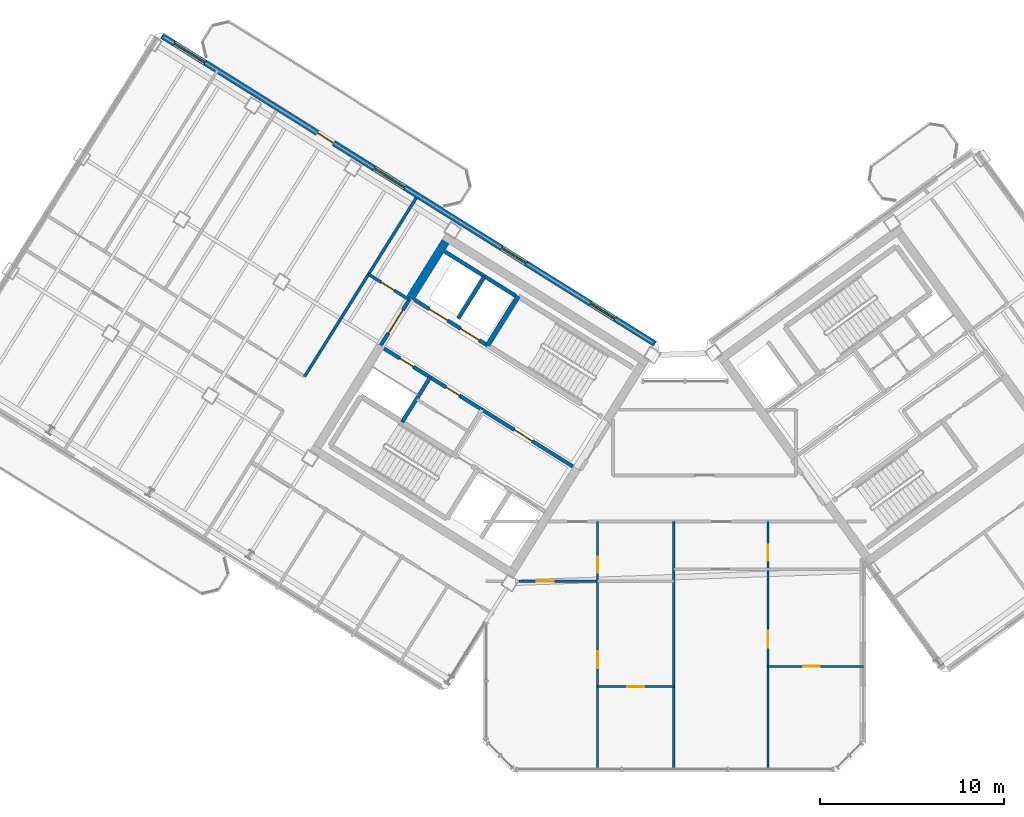
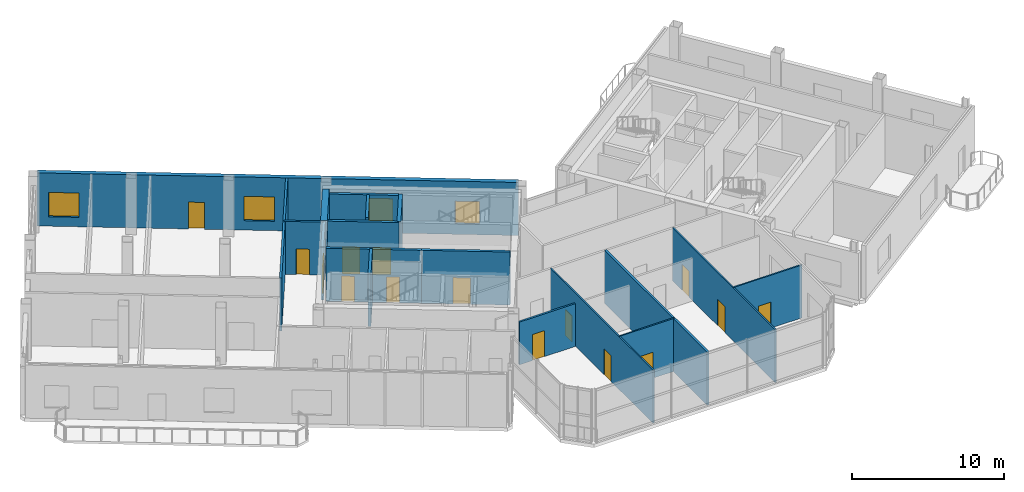
# One storey, part 17 of 27: 18 walls, 15 doors, 4 windows, 19 openings.
"""IFC4 building model written with IfcOpenShell, lengths in metres."""

import ifcopenshell
import ifcopenshell.guid

model = None  # the IFC model being written
_history = None  # IfcOwnerHistory: only IFC2X3 demands one
_inside = {}  # id of a spatial element -> (the spatial element, [elements in it])
_under = {}  # id of a project, library or spatial element -> (it, [spatial elements below it])
_declared = {}  # id of a project -> (the project, [libraries it declares])
_typed = {}  # id of a type object -> (the type object, [elements of that type])
_made_of = {}  # id of a material, layer set ... -> (it, [elements and type objects made of it])


def new_model(schema):
    """Start an empty IFC model of exactly this schema.

    Asked for "IFC4X3", IfcOpenShell would pick the latest addendum, in which some entities
    have other attributes; the version numbers below select the first issue.
    IFC2X3 requires an IfcOwnerHistory on every rooted entity: one is made here for all.
    """
    global model, _history
    if schema == "IFC4X3":
        model = ifcopenshell.file(schema_version=(4, 3, 0, 0))
    else:
        model = ifcopenshell.file(schema=schema)
    _inside.clear()
    _under.clear()
    _declared.clear()
    _typed.clear()
    _made_of.clear()
    _history = None
    if model.schema == "IFC2X3":
        org = make("IfcOrganization", Name="unknown")
        user = make(
            "IfcPersonAndOrganization",
            ThePerson=make("IfcPerson", FamilyName="unknown"),
            TheOrganization=org,
        )
        app = make(
            "IfcApplication",
            ApplicationDeveloper=org,
            Version="unknown",
            ApplicationFullName="unknown",
            ApplicationIdentifier="unknown",
        )
        _history = make(
            "IfcOwnerHistory",
            OwningUser=user,
            OwningApplication=app,
            ChangeAction="ADDED",
            CreationDate=0,
        )
    return model


def make(cls, **values):
    """One entity of the class cls with the attributes given. An attribute that is None is left unset."""
    return model.create_entity(
        cls, **{name: value for name, value in values.items() if value is not None}
    )


def rooted(cls, **values):
    """An entity with a GlobalId (a new one), such as an element, a storey or a relation."""
    return make(cls, GlobalId=ifcopenshell.guid.new(), OwnerHistory=_history, **values)


def si_unit(unit_type, name, prefix=None):
    """IfcSIUnit, for example si_unit("LENGTHUNIT", "METRE", prefix="MILLI")."""
    return make("IfcSIUnit", UnitType=unit_type, Prefix=prefix, Name=name)


def assignment(units):
    """IfcUnitAssignment: the units of a project."""
    return None if units is None else make("IfcUnitAssignment", Units=units)


def point(xyz):
    """IfcCartesianPoint."""
    return None if xyz is None else make("IfcCartesianPoint", Coordinates=xyz)


def direction(xyz):
    """IfcDirection."""
    return None if xyz is None else make("IfcDirection", DirectionRatios=xyz)


def frame(location, z_axis=None, x_axis=None):
    """IfcAxis2Placement3D, a coordinate frame: its origin and axes. An axis left out is left unset."""
    return make(
        "IfcAxis2Placement3D",
        Location=point(location),
        Axis=direction(z_axis),
        RefDirection=direction(x_axis),
    )


def frame_2d(location, x_axis=None):
    """IfcAxis2Placement2D, a coordinate frame in the plane: its origin and x axis."""
    return make(
        "IfcAxis2Placement2D", Location=point(location), RefDirection=direction(x_axis)
    )


def origin():
    """The frame at (0, 0, 0) with its axes left unset."""
    return frame((0.0, 0.0, 0.0))


def place(relative_to, where):
    """IfcLocalPlacement: puts the frame where relative to a parent placement (None: the world)."""
    return make(
        "IfcLocalPlacement", PlacementRelTo=relative_to, RelativePlacement=where
    )


def context(
    kind, dimensions, precision=None, world=None, true_north=None, identifier=None
):
    """IfcGeometricRepresentationContext, for example the 3D "Model" context."""
    return make(
        "IfcGeometricRepresentationContext",
        ContextIdentifier=identifier,
        ContextType=kind,
        CoordinateSpaceDimension=dimensions,
        Precision=precision,
        WorldCoordinateSystem=world,
        TrueNorth=true_north,
    )


def subcontext(parent, identifier, kind, view, scale=None):
    """IfcGeometricRepresentationSubContext, for example "Body" below "Model"."""
    return make(
        "IfcGeometricRepresentationSubContext",
        ContextIdentifier=identifier,
        ContextType=kind,
        ParentContext=parent,
        TargetScale=scale,
        TargetView=view,
    )


def project(units=None, contexts=None):
    """IfcProject with its units and contexts."""
    return rooted(
        "IfcProject",
        Name="project",
        RepresentationContexts=contexts,
        UnitsInContext=assignment(units),
    )


def spatial(cls, under=None, at=None, **own):
    """A site, building, storey or space (cls), placed at a placement, below another one or the project."""
    s = rooted(cls, ObjectPlacement=at, **own)
    if under is not None:
        _under.setdefault(under.id(), (under, []))[1].append(s)
    return s


def profile(cls, at=None, kind="AREA", **sizes):
    """A parametric profile (cls). Its sizes go by their IFC names, for example OverallWidth=200.0."""
    return make(cls, ProfileType=kind, Position=at, **sizes)


def rectangle(**sizes):
    """IfcRectangleProfileDef."""
    return profile("IfcRectangleProfileDef", **sizes)


def extrude(swept, where, along, depth):
    """IfcExtrudedAreaSolid: the profile swept, set in the frame where, extruded along a direction by depth."""
    return make(
        "IfcExtrudedAreaSolid",
        SweptArea=swept,
        Position=where,
        ExtrudedDirection=direction(along),
        Depth=depth,
    )


def shape(context_of_items, identifier, shape_type, items):
    """IfcShapeRepresentation: the items that make up one representation, for example the "Body"."""
    return make(
        "IfcShapeRepresentation",
        ContextOfItems=context_of_items,
        RepresentationIdentifier=identifier,
        RepresentationType=shape_type,
        Items=items,
    )


def source(mapping_origin, context_of_items, identifier, shape_type, items):
    """IfcRepresentationMap: a shape defined once, which mapped items show again and again."""
    return make(
        "IfcRepresentationMap",
        MappingOrigin=mapping_origin,
        MappedRepresentation=shape(context_of_items, identifier, shape_type, items),
    )


def transform(
    local_origin,
    x_axis=None,
    y_axis=None,
    z_axis=None,
    scale=None,
    scale2=None,
    scale3=None,
    uniform=True,
):
    """IfcCartesianTransformationOperator3D, or its non-uniform kind. x_axis, y_axis, z_axis: its Axis1, 2, 3."""
    if uniform:
        return make(
            "IfcCartesianTransformationOperator3D",
            Axis1=direction(x_axis),
            Axis2=direction(y_axis),
            LocalOrigin=point(local_origin),
            Scale=scale,
            Axis3=direction(z_axis),
        )
    return make(
        "IfcCartesianTransformationOperator3DnonUniform",
        Axis1=direction(x_axis),
        Axis2=direction(y_axis),
        LocalOrigin=point(local_origin),
        Scale=scale,
        Axis3=direction(z_axis),
        Scale2=scale2,
        Scale3=scale3,
    )


def mapped(mapping_source, mapping_target):
    """IfcMappedItem: shows the shape of a source again, moved by a transform."""
    return make(
        "IfcMappedItem", MappingSource=mapping_source, MappingTarget=mapping_target
    )


def material(Name=None, Category=None):
    """IfcMaterial."""
    return make("IfcMaterial", Name=Name, Category=Category)


def layer(
    of_material, thickness, ventilated=None, Name=None, Category=None, Priority=None
):
    """IfcMaterialLayer: one layer of a wall or slab, of a material (None: an air gap)."""
    return make(
        "IfcMaterialLayer",
        Material=of_material,
        LayerThickness=thickness,
        IsVentilated=ventilated,
        Name=Name,
        Category=Category,
        Priority=Priority,
    )


def layer_set(layers, Name=None):
    """IfcMaterialLayerSet."""
    return make("IfcMaterialLayerSet", MaterialLayers=layers, LayerSetName=Name)


def made_of(thing, what):
    """Note that an element or type object is made of a material, layer set ...; save() writes the relation."""
    if what is not None:
        _made_of.setdefault(what.id(), (what, []))[1].append(thing)
    return thing


def type_object(cls, material=None, **own):
    """A type object (cls), such as IfcWallType, which elements share."""
    return made_of(rooted(cls, **own), material)


def element(
    cls,
    number,
    at=None,
    inside=None,
    cuts=None,
    type_object=None,
    material=None,
    context=None,
    identifier="Body",
    shape_type=None,
    held_by="IfcProductDefinitionShape",
    body=None,
    shapes=None,
    **own,
):
    """One element of the class cls, such as IfcWall. Its Tag is "e" and its number.

    at: its placement. inside: the storey or other place that contains it. cuts: it is an
    opening in that element (IfcRelVoidsElement). A single representation is given by context,
    identifier, shape_type and body (its items); several are given by shapes. held_by: the class
    of the entity that holds the representations. save() writes the other relations.
    """
    e = rooted(cls, Tag="e%d" % number, ObjectPlacement=at, **own)
    if body is not None:
        shapes = [shape(context, identifier, shape_type, body)]
    if shapes is not None:
        e.Representation = make(held_by, Representations=shapes)
    if inside is not None:
        _inside.setdefault(inside.id(), (inside, []))[1].append(e)
    if cuts is not None:
        rooted(
            "IfcRelVoidsElement", RelatingBuildingElement=cuts, RelatedOpeningElement=e
        )
    if type_object is not None:
        _typed.setdefault(type_object.id(), (type_object, []))[1].append(e)
    return made_of(e, material)


def fill(opening, filler):
    """IfcRelFillsElement: the door or window that sits in an opening."""
    return rooted(
        "IfcRelFillsElement",
        RelatingOpeningElement=opening,
        RelatedBuildingElement=filler,
    )


def aggregate(whole, parts):
    """IfcRelAggregates: a whole, such as a stair, and the parts it consists of."""
    return rooted("IfcRelAggregates", RelatingObject=whole, RelatedObjects=parts)


def save(model, path):
    """Write the relations noted so far, then the file.

    IfcRelAggregates (storeys below a building ...), IfcRelContainedInSpatialStructure (elements
    in a storey), IfcRelDefinesByType, IfcRelAssociatesMaterial and IfcRelDeclares: one each for
    every whole, place, type object, material and project.
    """
    for whole, parts in _under.values():
        aggregate(whole, parts)
    for where, things in _inside.values():
        rooted(
            "IfcRelContainedInSpatialStructure",
            RelatedElements=things,
            RelatingStructure=where,
        )
    for kind, things in _typed.values():
        rooted("IfcRelDefinesByType", RelatedObjects=things, RelatingType=kind)
    for what, things in _made_of.values():
        rooted("IfcRelAssociatesMaterial", RelatedObjects=things, RelatingMaterial=what)
    for by, libraries in _declared.values():
        rooted("IfcRelDeclares", RelatingContext=by, RelatedDefinitions=libraries)
    model.write(path)


model = new_model("IFC4")

# Units and contexts
model_context = context("Model", 3, precision=1e-05, world=origin(), true_north=direction((0.0, 1.0)))
body_context = subcontext(model_context, "Body", "Model", "MODEL_VIEW")
ifc_project = project(units=[si_unit("LENGTHUNIT", "METRE"), si_unit("AREAUNIT", "SQUARE_METRE"), si_unit("VOLUMEUNIT", "CUBIC_METRE"), si_unit("PLANEANGLEUNIT", "RADIAN"), si_unit("MASSUNIT", "GRAM", prefix="KILO")], contexts=[model_context])

# Site, building, storey
site_placement = place(None, origin())
site = spatial("IfcSite", under=ifc_project, at=site_placement, CompositionType="ELEMENT")
building_placement = place(site_placement, origin())
building = spatial("IfcBuilding", under=site, at=building_placement, Name="Tlacorven Tower", CompositionType="ELEMENT")
storey_placement = place(building_placement, frame((0.0, 0.0, 254.699951171875)))
storey = spatial("IfcBuildingStorey", under=building, at=storey_placement, Name="L64", CompositionType="ELEMENT", Elevation=254.699951171875)

# Wall
ifc_material_1 = material(Name="Concrete C50/60", Category="concrete")
ifc_layer_1 = layer(ifc_material_1, 0.449951171875)
ifc_layer_set_1 = layer_set([ifc_layer_1], Name="Concrete C50/60")
wall_type_1 = type_object("IfcWallType", Name="WL-COR-450", PredefinedType="SHEAR", material=ifc_layer_set_1)
wall_1_placement = place(storey_placement, frame((29.543701171875, 30.636474609375, 0.0), z_axis=(0.0, 0.0, 1.0), x_axis=(-0.529902075036, -0.848058836916, 0.0)))
element("IfcWall", 1, at=wall_1_placement, inside=storey, type_object=wall_type_1, Name="L64 W core end wall E2.1", PredefinedType="SHEAR", context=body_context, shape_type="SweptSolid", body=[
    extrude(rectangle(XDim=3.625, YDim=0.449951171875, at=frame_2d((1.8125, 0.0))), origin(), (0.0, 0.0, 1.0), 4.25),
])

# Wall, opening, door
ifc_material_2 = material(Name="Gypsum plasterboard acoustic partition", Category="gypsum")
ifc_layer_2 = layer(ifc_material_2, 0.159912109375)
ifc_layer_set_2 = layer_set([ifc_layer_2], Name="Gypsum plasterboard acoustic partition")
wall_type_2 = type_object("IfcWallType", Name="WL-DEM-160", PredefinedType="PARTITIONING", material=ifc_layer_set_2)
wall_2_placement = place(storey_placement, frame((27.56982421875, 27.4775390625, 0.0), z_axis=(0.0, 0.0, 1.0), x_axis=(-0.848050851465, 0.529914854792, 0.0)))
wall_2 = element("IfcWall", 2, at=wall_2_placement, inside=storey, type_object=wall_type_2, Name="L64 partition 39", PredefinedType="PARTITIONING", context=body_context, shape_type="SweptSolid", body=[
    extrude(rectangle(XDim=2.60986328125, YDim=0.159912109375, at=frame_2d((1.304931640625, 0.0))), origin(), (0.0, 0.0, 1.0), 4.239990234375),
])
opening_1_placement = place(wall_2_placement, frame((0.949951171875, 0.0, 0.0)))
opening_1 = element("IfcOpeningElement", 3, at=opening_1_placement, cuts=wall_2, Name="Opening D19", PredefinedType="OPENING", context=body_context, shape_type="SweptSolid", body=[
    extrude(rectangle(XDim=0.860107421875, YDim=2.050048828125, at=frame_2d((0.43017578125, 1.02490234375))), frame((0.0, 0.08984375, 0.0), z_axis=(0.0, -1.0, 0.0), x_axis=(1.0, 0.0, 0.0)), (0.0, 0.0, 1.0), 0.179931640625),
])
ifc_material_3 = material(Name="Fire-rated steel door assembly", Category="steel")
door_type_1 = type_object("IfcDoorType", Name="DR-RSR-FD60-0860", OperationType="NOTDEFINED", PredefinedType="DOOR", material=ifc_material_3)
shared_shape_1 = source(origin(), body_context, "Body", "SweptSolid", [
    extrude(rectangle(XDim=0.860107421875, YDim=2.050048828125, at=frame_2d((0.43017578125, 1.02490234375))), frame((0.0, 0.02490234375, 0.0), z_axis=(0.0, -1.0, 0.0), x_axis=(1.0, 0.0, 0.0)), (0.0, 0.0, 1.0), 0.050048828125),
])
door_1_placement = place(opening_1_placement, frame((0.860107421875, 0.0, 0.0), z_axis=(0.0, 0.0, 1.0), x_axis=(-1.0, 0.0, 0.0)))
door_1 = element("IfcDoor", 4, at=door_1_placement, inside=storey, type_object=door_type_1, Name="L64 door 022", OperationType="SINGLE_SWING_RIGHT", OverallHeight=2.050048828125, OverallWidth=0.860107421875, PredefinedType="DOOR", context=body_context, shape_type="MappedRepresentation", body=[
    mapped(shared_shape_1, transform((0.0, 0.0, 0.0), scale=1.0)),
])
fill(opening_1, door_1)

# Walls
wall_3_placement = place(storey_placement, frame((27.952880859375, 33.01611328125, 0.0), z_axis=(0.0, 0.0, 1.0), x_axis=(-0.529905022231, -0.848056995381, 0.0)))
element("IfcWall", 5, at=wall_3_placement, inside=storey, type_object=wall_type_2, Name="L64 partition 41", PredefinedType="PARTITIONING", context=body_context, shape_type="SweptSolid", body=[
    extrude(rectangle(XDim=11.449951171875, YDim=0.159912109375, at=frame_2d((5.72509765625, 0.0))), origin(), (0.0, 0.0, 1.0), 4.239990234375),
])
wall_4_placement = place(storey_placement, frame((41.949951171875, 1.9599609375, 0.0), z_axis=(0.0, 0.0, 1.0), x_axis=(0.0, 1.0, 0.0)))
element("IfcWall", 6, at=wall_4_placement, inside=storey, type_object=wall_type_2, Name="L64 Knuckle Demising Wall 1", PredefinedType="PARTITIONING", context=body_context, shape_type="SweptSolid", body=[
    extrude(rectangle(XDim=13.4599609375, YDim=0.159912109375, at=frame_2d((6.72998046875, 0.0))), origin(), (0.0, 0.0, 1.0), 4.239990234375),
])

# Wall, openings, door, windows
ifc_material_4 = material(Name="Precast concrete C45/55", Category="concrete")
ifc_layer_3 = layer(ifc_material_4, 0.320068359375)
ifc_layer_set_3 = layer_set([ifc_layer_3], Name="Precast concrete C45/55")
wall_type_3 = type_object("IfcWallType", Name="WL-EXT-320", PredefinedType="STANDARD", material=ifc_layer_set_3)
wall_5_placement = place(storey_placement, frame((14.13818359375, 41.825439453125, 0.0), z_axis=(0.0, 0.0, 1.0), x_axis=(0.848046498049, -0.529921821731, 0.0)))
wall_5 = element("IfcWall", 7, at=wall_5_placement, inside=storey, type_object=wall_type_3, Name="L64 Masonry-Frame Recessed Facade Wall 3", PredefinedType="STANDARD", context=body_context, shape_type="SweptSolid", body=[
    extrude(rectangle(XDim=31.587646484375, YDim=0.320068359375, at=frame_2d((15.7939453125, 0.0))), origin(), (0.0, 0.0, 1.0), 4.25),
])
opening_2_placement = place(wall_5_placement, frame((9.9462890625, 0.0, 0.0)))
opening_2 = element("IfcOpeningElement", 8, at=opening_2_placement, cuts=wall_5, Name="Opening D06", PredefinedType="OPENING", context=body_context, shape_type="SweptSolid", body=[
    extrude(rectangle(XDim=1.050048828125, YDim=2.14990234375, at=frame_2d((0.52490234375, 1.074951171875))), frame((0.0, 0.169921875, 0.0), z_axis=(0.0, -1.0, 0.0), x_axis=(1.0, 0.0, 0.0)), (0.0, 0.0, 1.0), 0.340087890625),
])
opening_3_placement = place(wall_5_placement, frame((0.7626953125, 0.0, 0.75)))
opening_3 = element("IfcOpeningElement", 9, at=opening_3_placement, cuts=wall_5, Name="Opening WN11", PredefinedType="OPENING", context=body_context, shape_type="SweptSolid", body=[
    extrude(rectangle(XDim=2.0, YDim=1.949951171875, at=frame_2d((1.0, 0.97509765625))), frame((0.0, 0.169921875, 0.0), z_axis=(0.0, -1.0, 0.0), x_axis=(1.0, 0.0, 0.0)), (0.0, 0.0, 1.0), 0.340087890625),
])
opening_4_placement = place(wall_5_placement, frame((13.57373046875, 0.0, 0.75)))
opening_4 = element("IfcOpeningElement", 10, at=opening_4_placement, cuts=wall_5, Name="Opening WN11", PredefinedType="OPENING", context=body_context, shape_type="SweptSolid", body=[
    extrude(rectangle(XDim=2.0, YDim=1.949951171875, at=frame_2d((1.0, 0.97509765625))), frame((0.0, 0.169921875, 0.0), z_axis=(0.0, -1.0, 0.0), x_axis=(1.0, 0.0, 0.0)), (0.0, 0.0, 1.0), 0.340087890625),
])
opening_5_placement = place(wall_5_placement, frame((21.74365234375, 0.0, 0.85009765625)))
opening_5 = element("IfcOpeningElement", 11, at=opening_5_placement, cuts=wall_5, Name="Opening WN12", PredefinedType="OPENING", context=body_context, shape_type="SweptSolid", body=[
    extrude(rectangle(XDim=1.60009765625, YDim=1.800048828125, at=frame_2d((0.800048828125, 0.89990234375))), frame((0.0, 0.169921875, 0.0), z_axis=(0.0, -1.0, 0.0), x_axis=(1.0, 0.0, 0.0)), (0.0, 0.0, 1.0), 0.340087890625),
])
opening_6_placement = place(wall_5_placement, frame((27.443603515625, 0.0, 0.85009765625)))
opening_6 = element("IfcOpeningElement", 12, at=opening_6_placement, cuts=wall_5, Name="Opening WN12", PredefinedType="OPENING", context=body_context, shape_type="SweptSolid", body=[
    extrude(rectangle(XDim=1.60009765625, YDim=1.800048828125, at=frame_2d((0.800048828125, 0.89990234375))), frame((0.0, 0.169921875, 0.0), z_axis=(0.0, -1.0, 0.0), x_axis=(1.0, 0.0, 0.0)), (0.0, 0.0, 1.0), 0.340087890625),
])
ifc_material_5 = material(Name="Powder-coated aluminium and timber door", Category="wood")
door_type_2 = type_object("IfcDoorType", Name="DR-EXT-BALC-1050", OperationType="NOTDEFINED", PredefinedType="DOOR", material=ifc_material_5)
shared_shape_2 = source(origin(), body_context, "Body", "SweptSolid", [
    extrude(rectangle(XDim=1.050048828125, YDim=2.14990234375, at=frame_2d((0.52490234375, 1.074951171875))), frame((0.0, 0.02490234375, 0.0), z_axis=(0.0, -1.0, 0.0), x_axis=(1.0, 0.0, 0.0)), (0.0, 0.0, 1.0), 0.050048828125),
])
door_2_placement = place(opening_2_placement, origin())
door_2 = element("IfcDoor", 13, at=door_2_placement, inside=storey, type_object=door_type_2, Name="L64 Outdoor Access Door BAL-L64-W-IN", OperationType="SINGLE_SWING_RIGHT", OverallHeight=2.14990234375, OverallWidth=1.050048828125, PredefinedType="DOOR", context=body_context, shape_type="MappedRepresentation", body=[
    mapped(shared_shape_2, transform((0.0, 0.0, 0.0), scale=1.0)),
])
fill(opening_2, door_2)
ifc_material_6 = material(Name="Dark solar low-E double glazing in anodised aluminium frame", Category="aluminium")
window_type_1 = type_object("IfcWindowType", Name="WN-COM-1600X1900", PartitioningType="SINGLE_PANEL", PredefinedType="WINDOW", material=ifc_material_6)
shared_shape_3 = source(origin(), body_context, "Body", "SweptSolid", [
    extrude(rectangle(XDim=1.60009765625, YDim=1.800048828125, at=frame_2d((0.800048828125, 0.89990234375))), frame((0.0, 0.030029296875, 0.0), z_axis=(0.0, -1.0, 0.0), x_axis=(1.0, 0.0, 0.0)), (0.0, 0.0, 1.0), 0.06005859375),
])
window_1_placement = place(opening_5_placement, origin())
window_1 = element("IfcWindow", 14, at=window_1_placement, inside=storey, type_object=window_type_1, Name="L64 Recessed Masonry-Frame Window L64-03.3", OverallHeight=1.800048828125, OverallWidth=1.60009765625, PartitioningType="SINGLE_PANEL", PredefinedType="WINDOW", context=body_context, shape_type="MappedRepresentation", body=[
    mapped(shared_shape_3, transform((0.0, 0.0, 0.0), scale=1.0)),
])
fill(opening_5, window_1)
window_2_placement = place(opening_6_placement, origin())
window_2 = element("IfcWindow", 15, at=window_2_placement, inside=storey, type_object=window_type_1, Name="L64 Recessed Masonry-Frame Window L64-03.4", OverallHeight=1.800048828125, OverallWidth=1.60009765625, PartitioningType="SINGLE_PANEL", PredefinedType="WINDOW", context=body_context, shape_type="MappedRepresentation", body=[
    mapped(shared_shape_3, transform((0.0, 0.0, 0.0), scale=1.0)),
])
fill(opening_6, window_2)
window_type_2 = type_object("IfcWindowType", Name="WN-COM-2000X2100", PartitioningType="SINGLE_PANEL", PredefinedType="WINDOW", material=ifc_material_6)
shared_shape_4 = source(origin(), body_context, "Body", "SweptSolid", [
    extrude(rectangle(XDim=2.0, YDim=1.949951171875, at=frame_2d((1.0, 0.97509765625))), frame((0.0, 0.030029296875, 0.0), z_axis=(0.0, -1.0, 0.0), x_axis=(1.0, 0.0, 0.0)), (0.0, 0.0, 1.0), 0.06005859375),
])
window_3_placement = place(opening_3_placement, origin())
window_3 = element("IfcWindow", 16, at=window_3_placement, inside=storey, type_object=window_type_2, Name="L64 Recessed Masonry-Frame Window L64-03.1", OverallHeight=1.949951171875, OverallWidth=2.0, PartitioningType="SINGLE_PANEL", PredefinedType="WINDOW", context=body_context, shape_type="MappedRepresentation", body=[
    mapped(shared_shape_4, transform((0.0, 0.0, 0.0), scale=1.0)),
])
fill(opening_3, window_3)
window_4_placement = place(opening_4_placement, origin())
window_4 = element("IfcWindow", 17, at=window_4_placement, inside=storey, type_object=window_type_2, Name="L64 Recessed Masonry-Frame Window L64-03.2", OverallHeight=1.949951171875, OverallWidth=2.0, PartitioningType="SINGLE_PANEL", PredefinedType="WINDOW", context=body_context, shape_type="MappedRepresentation", body=[
    mapped(shared_shape_4, transform((0.0, 0.0, 0.0), scale=1.0)),
])
fill(opening_4, window_4)

# Wall, openings, doors
ifc_material_7 = material(Name="Gypsum plasterboard partition", Category="gypsum")
ifc_layer_4 = layer(ifc_material_7, 0.110107421875)
ifc_layer_set_4 = layer_set([ifc_layer_4], Name="Gypsum plasterboard partition")
wall_type_4 = type_object("IfcWallType", Name="WL-INT-110", PredefinedType="PARTITIONING", material=ifc_layer_set_4)
wall_6_placement = place(storey_placement, frame((37.81298828125, 1.9599609375, 0.0), z_axis=(0.0, 0.0, 1.0), x_axis=(0.0, 1.0, 0.0)))
wall_6 = element("IfcWall", 18, at=wall_6_placement, inside=storey, type_object=wall_type_4, Name="L64 partition 63", PredefinedType="PARTITIONING", context=body_context, shape_type="SweptSolid", body=[
    extrude(rectangle(XDim=13.4599609375, YDim=0.110107421875, at=frame_2d((6.72998046875, 0.0))), origin(), (0.0, 0.0, 1.0), 4.239990234375),
])
opening_7_placement = place(wall_6_placement, frame((5.5, 0.0, 0.0)))
opening_7 = element("IfcOpeningElement", 19, at=opening_7_placement, cuts=wall_6, Name="Opening D12", PredefinedType="OPENING", context=body_context, shape_type="SweptSolid", body=[
    extrude(rectangle(XDim=0.919921875, YDim=2.080078125, at=frame_2d((0.4599609375, 1.0400390625))), frame((0.0, 0.06494140625, 0.0), z_axis=(0.0, -1.0, 0.0), x_axis=(1.0, 0.0, 0.0)), (0.0, 0.0, 1.0), 0.130126953125),
])
opening_8_placement = place(wall_6_placement, frame((10.669921875, 0.0, 0.0)))
opening_8 = element("IfcOpeningElement", 20, at=opening_8_placement, cuts=wall_6, Name="Opening D13", PredefinedType="OPENING", context=body_context, shape_type="SweptSolid", body=[
    extrude(rectangle(XDim=0.8798828125, YDim=2.080078125, at=frame_2d((0.43994140625, 1.0400390625))), frame((0.0, 0.06494140625, 0.0), z_axis=(0.0, -1.0, 0.0), x_axis=(1.0, 0.0, 0.0)), (0.0, 0.0, 1.0), 0.130126953125),
])
door_type_3 = type_object("IfcDoorType", Name="DR-INT-WET-0880", OperationType="NOTDEFINED", PredefinedType="DOOR", material=ifc_material_5)
shared_shape_5 = source(origin(), body_context, "Body", "SweptSolid", [
    extrude(rectangle(XDim=0.8798828125, YDim=2.080078125, at=frame_2d((0.43994140625, 1.0400390625))), frame((0.0, 0.02490234375, 0.0), z_axis=(0.0, -1.0, 0.0), x_axis=(1.0, 0.0, 0.0)), (0.0, 0.0, 1.0), 0.050048828125),
])
door_3_placement = place(opening_8_placement, origin())
door_3 = element("IfcDoor", 21, at=door_3_placement, inside=storey, type_object=door_type_3, Name="L64 door 041", OperationType="SINGLE_SWING_RIGHT", OverallHeight=2.080078125, OverallWidth=0.8798828125, PredefinedType="DOOR", context=body_context, shape_type="MappedRepresentation", body=[
    mapped(shared_shape_5, transform((0.0, 0.0, 0.0), scale=1.0)),
])
fill(opening_8, door_3)
door_type_4 = type_object("IfcDoorType", Name="DR-INT-ROOM-0920", OperationType="NOTDEFINED", PredefinedType="DOOR", material=ifc_material_5)
shared_shape_6 = source(origin(), body_context, "Body", "SweptSolid", [
    extrude(rectangle(XDim=0.919921875, YDim=2.080078125, at=frame_2d((0.4599609375, 1.0400390625))), frame((0.0, 0.02490234375, 0.0), z_axis=(0.0, -1.0, 0.0), x_axis=(1.0, 0.0, 0.0)), (0.0, 0.0, 1.0), 0.050048828125),
])
door_4_placement = place(opening_7_placement, origin())
door_4 = element("IfcDoor", 22, at=door_4_placement, inside=storey, type_object=door_type_4, Name="L64 door 037", OperationType="SINGLE_SWING_RIGHT", OverallHeight=2.080078125, OverallWidth=0.919921875, PredefinedType="DOOR", context=body_context, shape_type="MappedRepresentation", body=[
    mapped(shared_shape_6, transform((0.0, 0.0, 0.0), scale=1.0)),
])
fill(opening_7, door_4)

# Wall, opening, door
wall_7_placement = place(storey_placement, frame((37.81298828125, 6.449951171875, 0.0), z_axis=(0.0, 0.0, 1.0), x_axis=(1.0, 0.0, 0.0)))
wall_7 = element("IfcWall", 23, at=wall_7_placement, inside=storey, type_object=wall_type_4, Name="L64 partition 66", PredefinedType="PARTITIONING", context=body_context, shape_type="SweptSolid", body=[
    extrude(rectangle(XDim=4.136962890625, YDim=0.110107421875, at=frame_2d((2.068359375, 0.0))), origin(), (0.0, 0.0, 1.0), 4.239990234375),
])
opening_9_placement = place(wall_7_placement, frame((1.6083984375, 0.0, 0.0)))
opening_9 = element("IfcOpeningElement", 24, at=opening_9_placement, cuts=wall_7, Name="Opening D12", PredefinedType="OPENING", context=body_context, shape_type="SweptSolid", body=[
    extrude(rectangle(XDim=0.919921875, YDim=2.080078125, at=frame_2d((0.4599609375, 1.0400390625))), frame((0.0, 0.06494140625, 0.0), z_axis=(0.0, -1.0, 0.0), x_axis=(1.0, 0.0, 0.0)), (0.0, 0.0, 1.0), 0.130126953125),
])
door_5_placement = place(opening_9_placement, origin())
door_5 = element("IfcDoor", 25, at=door_5_placement, inside=storey, type_object=door_type_4, Name="L64 door 038", OperationType="SINGLE_SWING_LEFT", OverallHeight=2.080078125, OverallWidth=0.919921875, PredefinedType="DOOR", context=body_context, shape_type="MappedRepresentation", body=[
    mapped(shared_shape_6, transform((0.0, 0.0, 0.0), scale=1.0)),
])
fill(opening_9, door_5)

# Wall, openings, doors
wall_8_placement = place(storey_placement, frame((47.072021484375, 1.9599609375, 0.0), z_axis=(0.0, 0.0, 1.0), x_axis=(0.0, 1.0, 0.0)))
wall_8 = element("IfcWall", 26, at=wall_8_placement, inside=storey, type_object=wall_type_4, Name="L64 partition 67", PredefinedType="PARTITIONING", context=body_context, shape_type="SweptSolid", body=[
    extrude(rectangle(XDim=13.4599609375, YDim=0.110107421875, at=frame_2d((6.72998046875, 0.0))), origin(), (0.0, 0.0, 1.0), 4.239990234375),
])
opening_10_placement = place(wall_8_placement, frame((6.60009765625, 0.0, 0.0)))
opening_10 = element("IfcOpeningElement", 27, at=opening_10_placement, cuts=wall_8, Name="Opening D12", PredefinedType="OPENING", context=body_context, shape_type="SweptSolid", body=[
    extrude(rectangle(XDim=0.919921875, YDim=2.080078125, at=frame_2d((0.4599609375, 1.0400390625))), frame((0.0, 0.06494140625, 0.0), z_axis=(0.0, -1.0, 0.0), x_axis=(1.0, 0.0, 0.0)), (0.0, 0.0, 1.0), 0.130126953125),
])
opening_11_placement = place(wall_8_placement, frame((11.320068359375, 0.0, 0.0)))
opening_11 = element("IfcOpeningElement", 28, at=opening_11_placement, cuts=wall_8, Name="Opening D13", PredefinedType="OPENING", context=body_context, shape_type="SweptSolid", body=[
    extrude(rectangle(XDim=0.8798828125, YDim=2.080078125, at=frame_2d((0.43994140625, 1.0400390625))), frame((0.0, 0.06494140625, 0.0), z_axis=(0.0, -1.0, 0.0), x_axis=(1.0, 0.0, 0.0)), (0.0, 0.0, 1.0), 0.130126953125),
])
door_6_placement = place(opening_11_placement, origin())
door_6 = element("IfcDoor", 29, at=door_6_placement, inside=storey, type_object=door_type_3, Name="L64 door 046", OperationType="SINGLE_SWING_LEFT", OverallHeight=2.080078125, OverallWidth=0.8798828125, PredefinedType="DOOR", context=body_context, shape_type="MappedRepresentation", body=[
    mapped(shared_shape_5, transform((0.0, 0.0, 0.0), scale=1.0)),
])
fill(opening_11, door_6)
door_7_placement = place(opening_10_placement, origin())
door_7 = element("IfcDoor", 30, at=door_7_placement, inside=storey, type_object=door_type_4, Name="L64 door 042", OperationType="SINGLE_SWING_LEFT", OverallHeight=2.080078125, OverallWidth=0.919921875, PredefinedType="DOOR", context=body_context, shape_type="MappedRepresentation", body=[
    mapped(shared_shape_6, transform((0.0, 0.0, 0.0), scale=1.0)),
])
fill(opening_10, door_7)

# Wall, opening, door
wall_9_placement = place(storey_placement, frame((47.072021484375, 7.550048828125, 0.0), z_axis=(0.0, 0.0, 1.0), x_axis=(1.0, 0.0, 0.0)))
wall_9 = element("IfcWall", 31, at=wall_9_placement, inside=storey, type_object=wall_type_4, Name="L64 partition 70", PredefinedType="PARTITIONING", context=body_context, shape_type="SweptSolid", body=[
    extrude(rectangle(XDim=5.18798828125, YDim=0.110107421875, at=frame_2d((2.593994140625, 0.0))), origin(), (0.0, 0.0, 1.0), 4.239990234375),
])
opening_12_placement = place(wall_9_placement, frame((1.904052734375, 0.0, 0.0)))
opening_12 = element("IfcOpeningElement", 32, at=opening_12_placement, cuts=wall_9, Name="Opening D12", PredefinedType="OPENING", context=body_context, shape_type="SweptSolid", body=[
    extrude(rectangle(XDim=0.919921875, YDim=2.080078125, at=frame_2d((0.4599609375, 1.0400390625))), frame((0.0, 0.06494140625, 0.0), z_axis=(0.0, -1.0, 0.0), x_axis=(1.0, 0.0, 0.0)), (0.0, 0.0, 1.0), 0.130126953125),
])
door_8_placement = place(opening_12_placement, origin())
door_8 = element("IfcDoor", 33, at=door_8_placement, inside=storey, type_object=door_type_4, Name="L64 door 043", OperationType="SINGLE_SWING_RIGHT", OverallHeight=2.080078125, OverallWidth=0.919921875, PredefinedType="DOOR", context=body_context, shape_type="MappedRepresentation", body=[
    mapped(shared_shape_6, transform((0.0, 0.0, 0.0), scale=1.0)),
])
fill(opening_12, door_8)

ifc_material_8 = material(Name="Moisture-resistant gypsum plumbing wall", Category="gypsum")
ifc_layer_5 = layer(ifc_material_8, 0.139892578125)
ifc_layer_set_5 = layer_set([ifc_layer_5], Name="Moisture-resistant gypsum plumbing wall")
wall_type_5 = type_object("IfcWallType", Name="WL-PLM-140", PredefinedType="PLUMBINGWALL", material=ifc_layer_set_5)
wall_10_placement = place(storey_placement, frame((33.52490234375, 12.169921875, 0.0), z_axis=(0.0, 0.0, 1.0), x_axis=(1.0, 0.0, 0.0)))
wall_10 = element("IfcWall", 34, at=wall_10_placement, inside=storey, type_object=wall_type_5, Name="L64 partition 64", PredefinedType="PLUMBINGWALL", context=body_context, shape_type="SweptSolid", body=[
    extrude(rectangle(XDim=4.2880859375, YDim=0.139892578125, at=frame_2d((2.14404296875, 0.0))), origin(), (0.0, 0.0, 1.0), 3.425048828125),
])
opening_13_placement = place(wall_10_placement, frame((0.9716796875, 0.0, 0.0)))
opening_13 = element("IfcOpeningElement", 35, at=opening_13_placement, cuts=wall_10, Name="Opening D12", PredefinedType="OPENING", context=body_context, shape_type="SweptSolid", body=[
    extrude(rectangle(XDim=0.919921875, YDim=2.080078125, at=frame_2d((0.4599609375, 1.0400390625))), frame((0.0, 0.080078125, 0.0), z_axis=(0.0, -1.0, 0.0), x_axis=(1.0, 0.0, 0.0)), (0.0, 0.0, 1.0), 0.159912109375),
])
door_9_placement = place(opening_13_placement, frame((0.919921875, 0.0, 0.0), z_axis=(0.0, 0.0, 1.0), x_axis=(-1.0, 0.0, 0.0)))
door_9 = element("IfcDoor", 36, at=door_9_placement, inside=storey, type_object=door_type_4, Name="L64 door 040", OperationType="SINGLE_SWING_LEFT", OverallHeight=2.080078125, OverallWidth=0.919921875, PredefinedType="DOOR", context=body_context, shape_type="MappedRepresentation", body=[
    mapped(shared_shape_6, transform((0.0, 0.0, 0.0), scale=1.0)),
])
fill(opening_13, door_9)

ifc_material_9 = material(Name="Concrete C40/50", Category="concrete")
ifc_layer_6 = layer(ifc_material_9, 0.199951171875)
ifc_layer_set_6 = layer_set([ifc_layer_6], Name="Concrete C40/50")
wall_type_6 = type_object("IfcWallType", Name="WL-SHF-200", PredefinedType="STANDARD", material=ifc_layer_set_6)
wall_11_placement = place(storey_placement, frame((36.459228515625, 18.420654296875, 0.0), z_axis=(0.0, 0.0, 1.0), x_axis=(-0.848059591691, 0.529900867089, 0.0)))
wall_11 = element("IfcWall", 37, at=wall_11_placement, inside=storey, type_object=wall_type_6, Name="L64 Core W Smoke Lobby Wall", PredefinedType="STANDARD", context=body_context, shape_type="SweptSolid", body=[
    extrude(rectangle(XDim=5.818115234375, YDim=0.199951171875, at=frame_2d((2.9091796875, 0.0))), origin(), (0.0, 0.0, 1.0), 4.239990234375),
])
opening_14_placement = place(wall_11_placement, frame((2.597900390625, 0.0, 0.0)))
opening_14 = element("IfcOpeningElement", 38, at=opening_14_placement, cuts=wall_11, Name="Opening D09", PredefinedType="OPENING", context=body_context, shape_type="SweptSolid", body=[
    extrude(rectangle(XDim=1.14990234375, YDim=2.10009765625, at=frame_2d((0.574951171875, 1.050048828125))), frame((0.0, 0.10986328125, 0.0), z_axis=(0.0, -1.0, 0.0), x_axis=(1.0, 0.0, 0.0)), (0.0, 0.0, 1.0), 0.219970703125),
])
door_type_5 = type_object("IfcDoorType", Name="DR-FFL-FD60-1150", OperationType="NOTDEFINED", PredefinedType="DOOR", material=ifc_material_3)
shared_shape_7 = source(origin(), body_context, "Body", "SweptSolid", [
    extrude(rectangle(XDim=1.14990234375, YDim=2.10009765625, at=frame_2d((0.574951171875, 1.050048828125))), frame((0.0, 0.02490234375, 0.0), z_axis=(0.0, -1.0, 0.0), x_axis=(1.0, 0.0, 0.0)), (0.0, 0.0, 1.0), 0.050048828125),
])
door_10_placement = place(opening_14_placement, origin())
door_10 = element("IfcDoor", 39, at=door_10_placement, inside=storey, type_object=door_type_5, Name="L64 Firefighting Lobby W Fire Door", OperationType="SINGLE_SWING_RIGHT", OverallHeight=2.10009765625, OverallWidth=1.14990234375, PredefinedType="DOOR", context=body_context, shape_type="MappedRepresentation", body=[
    mapped(shared_shape_7, transform((0.0, 0.0, 0.0), scale=1.0)),
])
fill(opening_14, door_10)

# Wall, openings, doors
wall_12_placement = place(storey_placement, frame((31.82177734375, 24.99755859375, 0.0), z_axis=(0.0, 0.0, 1.0), x_axis=(-0.848054125777, 0.529909614701, 0.0)))
wall_12 = element("IfcWall", 40, at=wall_12_placement, inside=storey, type_object=wall_type_6, Name="L64 Core W South Lift Shaft Wall", PredefinedType="STANDARD", context=body_context, shape_type="SweptSolid", body=[
    extrude(rectangle(XDim=4.66796875, YDim=0.199951171875, at=frame_2d((2.333984375, 0.0))), origin(), (0.0, 0.0, 1.0), 4.239990234375),
])
opening_15_placement = place(wall_12_placement, frame((0.52001953125, 0.0, 0.0)))
opening_15 = element("IfcOpeningElement", 41, at=opening_15_placement, cuts=wall_12, Name="Opening LD02", PredefinedType="OPENING", context=body_context, shape_type="SweptSolid", body=[
    extrude(rectangle(XDim=1.199951171875, YDim=2.14990234375, at=frame_2d((0.60009765625, 1.074951171875))), frame((0.0, 0.10986328125, 0.0), z_axis=(0.0, -1.0, 0.0), x_axis=(1.0, 0.0, 0.0)), (0.0, 0.0, 1.0), 0.219970703125),
])
opening_16_placement = place(wall_12_placement, frame((2.5400390625, 0.0, 0.0)))
opening_16 = element("IfcOpeningElement", 42, at=opening_16_placement, cuts=wall_12, Name="Opening LD02", PredefinedType="OPENING", context=body_context, shape_type="SweptSolid", body=[
    extrude(rectangle(XDim=1.199951171875, YDim=2.14990234375, at=frame_2d((0.60009765625, 1.074951171875))), frame((0.0, 0.10986328125, 0.0), z_axis=(0.0, -1.0, 0.0), x_axis=(1.0, 0.0, 0.0)), (0.0, 0.0, 1.0), 0.219970703125),
])
door_type_6 = type_object("IfcDoorType", Name="DR-LFT-SLID-1200", OperationType="DOUBLE_DOOR_SLIDING", PredefinedType="DOOR", material=ifc_material_3)
shared_shape_8 = source(origin(), body_context, "Body", "SweptSolid", [
    extrude(rectangle(XDim=1.199951171875, YDim=2.14990234375, at=frame_2d((0.60009765625, 1.074951171875))), frame((0.0, 0.02490234375, 0.0), z_axis=(0.0, -1.0, 0.0), x_axis=(1.0, 0.0, 0.0)), (0.0, 0.0, 1.0), 0.050048828125),
])
door_11_placement = place(opening_15_placement, origin())
door_11 = element("IfcDoor", 43, at=door_11_placement, inside=storey, type_object=door_type_6, Name="L64 Lift PL-H1 Sliding Landing Door", OperationType="DOUBLE_DOOR_SLIDING", OverallHeight=2.14990234375, OverallWidth=1.199951171875, PredefinedType="DOOR", context=body_context, shape_type="MappedRepresentation", body=[
    mapped(shared_shape_8, transform((0.0, 0.0, 0.0), scale=1.0)),
])
fill(opening_15, door_11)
door_12_placement = place(opening_16_placement, origin())
door_12 = element("IfcDoor", 44, at=door_12_placement, inside=storey, type_object=door_type_6, Name="L64 Lift PL-H2 Sliding Landing Door", OperationType="DOUBLE_DOOR_SLIDING", OverallHeight=2.14990234375, OverallWidth=1.199951171875, PredefinedType="DOOR", context=body_context, shape_type="MappedRepresentation", body=[
    mapped(shared_shape_8, transform((0.0, 0.0, 0.0), scale=1.0)),
])
fill(opening_16, door_12)

# Walls
wall_13_placement = place(storey_placement, frame((31.645263671875, 28.716064453125, 0.0), z_axis=(0.0, 0.0, 1.0), x_axis=(-0.52986693015, -0.848080795876, 0.0)))
element("IfcWall", 45, at=wall_13_placement, inside=storey, type_object=wall_type_6, Name="L64 partition 12", PredefinedType="STANDARD", context=body_context, shape_type="SweptSolid", body=[
    extrude(rectangle(XDim=2.659912109375, YDim=0.199951171875, at=frame_2d((1.330078125, 0.0))), origin(), (0.0, 0.0, 1.0), 4.239990234375),
])
wall_14_placement = place(storey_placement, frame((33.362548828125, 27.690185546875, 0.0), z_axis=(0.0, 0.0, 1.0), x_axis=(-0.84804957148, 0.529916903215, 0.0)))
element("IfcWall", 46, at=wall_14_placement, inside=storey, type_object=wall_type_6, Name="L64 partition 14", PredefinedType="STANDARD", context=body_context, shape_type="SweptSolid", body=[
    extrude(rectangle(XDim=4.547607421875, YDim=0.199951171875, at=frame_2d((2.27392578125, 0.0))), origin(), (0.0, 0.0, 1.0), 4.239990234375),
])
wall_15_placement = place(storey_placement, frame((28.709716796875, 23.26318359375, 0.0), z_axis=(0.0, 0.0, 1.0), x_axis=(-0.529907497854, -0.848055448493, 0.0)))
element("IfcWall", 47, at=wall_15_placement, inside=storey, type_object=wall_type_6, Name="L64 partition 16", PredefinedType="STANDARD", context=body_context, shape_type="SweptSolid", body=[
    extrude(rectangle(XDim=2.8798828125, YDim=0.199951171875, at=frame_2d((1.43994140625, 0.0))), origin(), (0.0, 0.0, 1.0), 4.239990234375),
])

# Wall, openings, doors
wall_16_placement = place(storey_placement, frame((31.525146484375, 21.503662109375, 0.0), z_axis=(0.0, 0.0, 1.0), x_axis=(-0.848042066329, 0.529928913853, 0.0)))
wall_16 = element("IfcWall", 48, at=wall_16_placement, inside=storey, type_object=wall_type_6, Name="L64 Core W North Service Wall", PredefinedType="STANDARD", context=body_context, shape_type="SweptSolid", body=[
    extrude(rectangle(XDim=6.267822265625, YDim=0.199951171875, at=frame_2d((3.1337890625, 0.0))), origin(), (0.0, 0.0, 1.0), 4.239990234375),
])
opening_17_placement = place(wall_16_placement, frame((4.39990234375, 0.0, 0.0)))
opening_17 = element("IfcOpeningElement", 49, at=opening_17_placement, cuts=wall_16, Name="Opening D19", PredefinedType="OPENING", context=body_context, shape_type="SweptSolid", body=[
    extrude(rectangle(XDim=0.860107421875, YDim=2.050048828125, at=frame_2d((0.43017578125, 1.02490234375))), frame((0.0, 0.10986328125, 0.0), z_axis=(0.0, -1.0, 0.0), x_axis=(1.0, 0.0, 0.0)), (0.0, 0.0, 1.0), 0.219970703125),
])
opening_18_placement = place(wall_16_placement, frame((1.449951171875, 0.0, 0.0)))
opening_18 = element("IfcOpeningElement", 50, at=opening_18_placement, cuts=wall_16, Name="Opening D19", PredefinedType="OPENING", context=body_context, shape_type="SweptSolid", body=[
    extrude(rectangle(XDim=0.860107421875, YDim=2.050048828125, at=frame_2d((0.43017578125, 1.02490234375))), frame((0.0, 0.10986328125, 0.0), z_axis=(0.0, -1.0, 0.0), x_axis=(1.0, 0.0, 0.0)), (0.0, 0.0, 1.0), 0.219970703125),
])
door_13_placement = place(opening_17_placement, frame((0.860107421875, 0.0, 0.0), z_axis=(0.0, 0.0, 1.0), x_axis=(-1.0, 0.0, 0.0)))
door_13 = element("IfcDoor", 51, at=door_13_placement, inside=storey, type_object=door_type_1, Name="L64 Electrical Riser Access Door W", OperationType="SINGLE_SWING_LEFT", OverallHeight=2.050048828125, OverallWidth=0.860107421875, PredefinedType="DOOR", context=body_context, shape_type="MappedRepresentation", body=[
    mapped(shared_shape_1, transform((0.0, 0.0, 0.0), scale=1.0)),
])
fill(opening_17, door_13)
door_14_placement = place(opening_18_placement, frame((0.860107421875, 0.0, 0.0), z_axis=(0.0, 0.0, 1.0), x_axis=(-1.0, 0.0, 0.0)))
door_14 = element("IfcDoor", 52, at=door_14_placement, inside=storey, type_object=door_type_1, Name="L64 Cleaner Store Access Door W", OperationType="SINGLE_SWING_RIGHT", OverallHeight=2.050048828125, OverallWidth=0.860107421875, PredefinedType="DOOR", context=body_context, shape_type="MappedRepresentation", body=[
    mapped(shared_shape_1, transform((0.0, 0.0, 0.0), scale=1.0)),
])
fill(opening_18, door_14)

# Wall, opening, door
wall_17_placement = place(storey_placement, frame((27.59619140625, 27.52001953125, 0.0), z_axis=(0.0, 0.0, 1.0), x_axis=(-0.529865479138, -0.848081702443, 0.0)))
wall_17 = element("IfcWall", 53, at=wall_17_placement, inside=storey, type_object=wall_type_6, Name="L64 partition 38", PredefinedType="STANDARD", context=body_context, shape_type="SweptSolid", body=[
    extrude(rectangle(XDim=2.9599609375, YDim=0.199951171875, at=frame_2d((1.47998046875, 0.0))), origin(), (0.0, 0.0, 1.0), 4.239990234375),
])
opening_19_placement = place(wall_17_placement, frame((0.699951171875, 0.0, 0.0)))
opening_19 = element("IfcOpeningElement", 54, at=opening_19_placement, cuts=wall_17, Name="Opening D10", PredefinedType="OPENING", context=body_context, shape_type="SweptSolid", body=[
    extrude(rectangle(XDim=1.5, YDim=2.14990234375, at=frame_2d((0.75, 1.074951171875))), frame((0.0, 0.10986328125, 0.0), z_axis=(0.0, -1.0, 0.0), x_axis=(1.0, 0.0, 0.0)), (0.0, 0.0, 1.0), 0.219970703125),
])
door_type_7 = type_object("IfcDoorType", Name="DR-LOB-FD60-1500", OperationType="DOUBLE_DOOR_SINGLE_SWING", PredefinedType="DOOR", material=ifc_material_3)
shared_shape_9 = source(origin(), body_context, "Body", "SweptSolid", [
    extrude(rectangle(XDim=1.5, YDim=2.14990234375, at=frame_2d((0.75, 1.074951171875))), frame((0.0, 0.02490234375, 0.0), z_axis=(0.0, -1.0, 0.0), x_axis=(1.0, 0.0, 0.0)), (0.0, 0.0, 1.0), 0.050048828125),
])
door_15_placement = place(opening_19_placement, origin())
door_15 = element("IfcDoor", 55, at=door_15_placement, inside=storey, type_object=door_type_7, Name="L64 door 023", OperationType="DOUBLE_DOOR_SINGLE_SWING", OverallHeight=2.14990234375, OverallWidth=1.5, PredefinedType="DOOR", context=body_context, shape_type="MappedRepresentation", body=[
    mapped(shared_shape_9, transform((0.0, 0.0, 0.0), scale=1.0)),
])
fill(opening_19, door_15)

# Wall
ifc_layer_7 = layer(ifc_material_1, 0.260009765625)
ifc_layer_set_7 = layer_set([ifc_layer_7], Name="Concrete C50/60")
wall_type_7 = type_object("IfcWallType", Name="WL-STW-260", PredefinedType="SHEAR", material=ifc_layer_set_7)
wall_18_placement = place(storey_placement, frame((33.496337890625, 27.677490234375, 0.0), z_axis=(0.0, 0.0, 1.0), x_axis=(-0.529908658664, -0.84805472316, 0.0)))
element("IfcWall", 56, at=wall_18_placement, inside=storey, type_object=wall_type_7, Name="L64 Stair W2 East Shear Wall", PredefinedType="SHEAR", context=body_context, shape_type="SweptSolid", body=[
    extrude(rectangle(XDim=3.16015625, YDim=0.260009765625, at=frame_2d((1.580078125, 0.0))), origin(), (0.0, 0.0, 1.0), 4.25),
])

save(model, "model.ifc")
